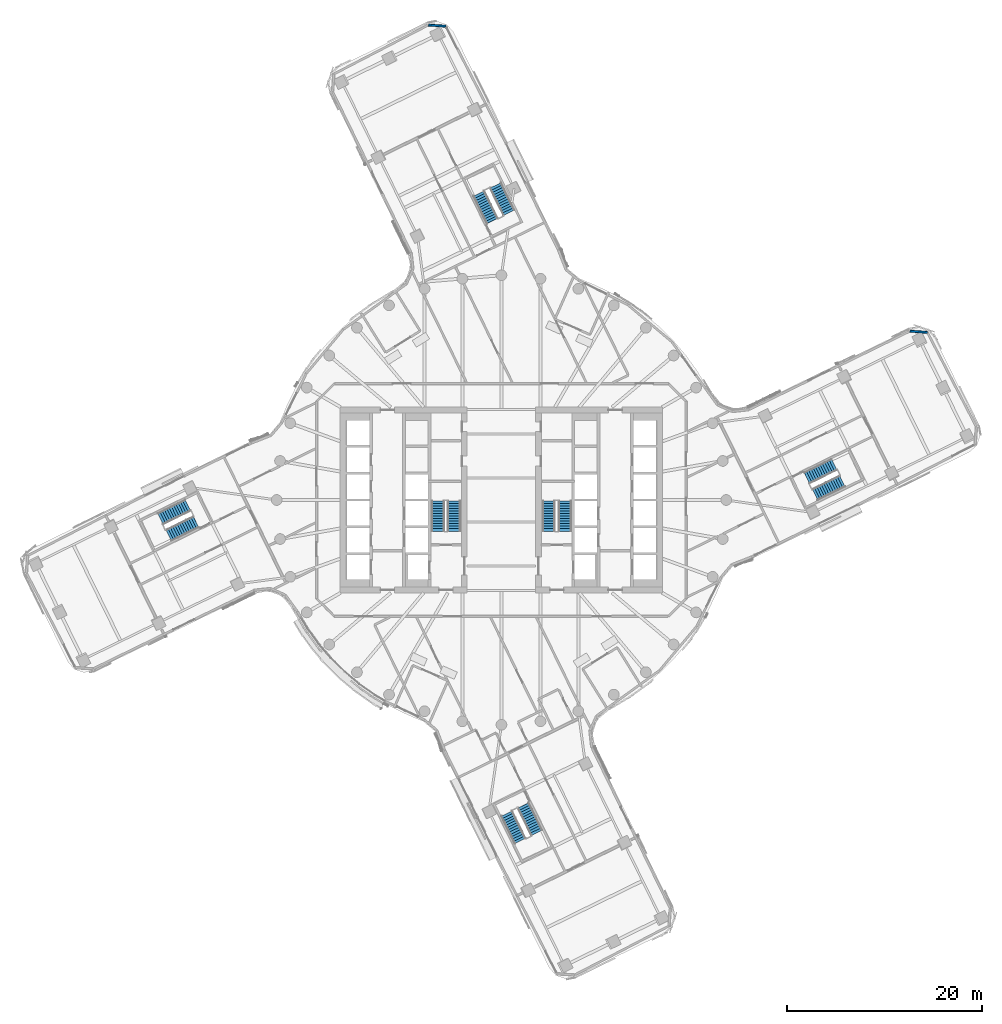
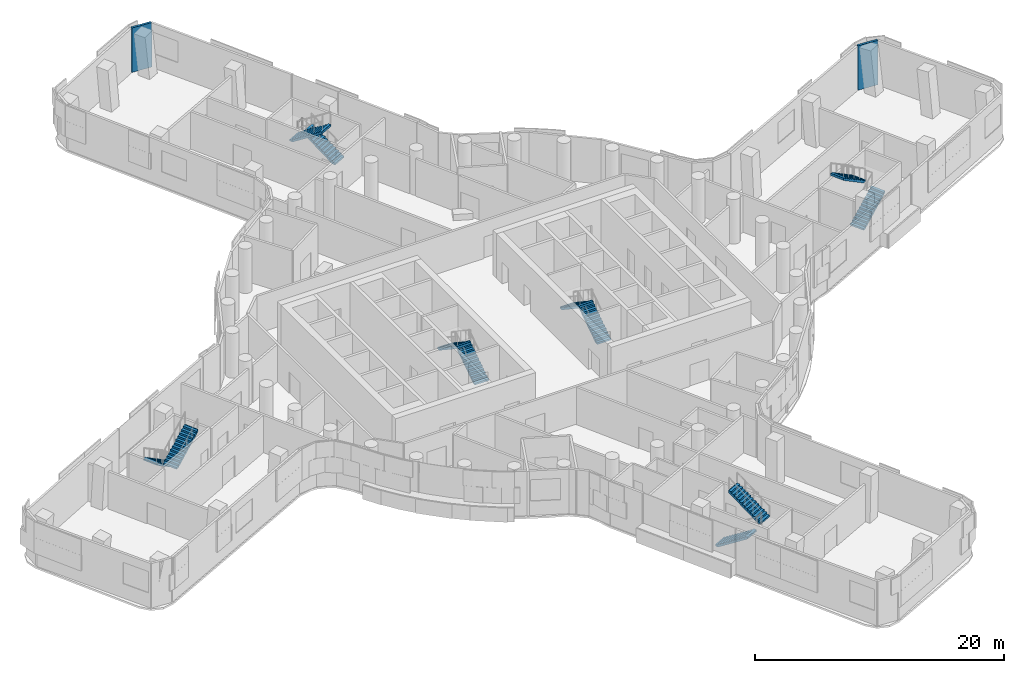
# One storey, part 16 of 23: 12 stair flights, 2 walls, 6 elements without a shape of their own.
"""IFC4 building model written with IfcOpenShell, lengths in metres."""

from ifc_helpers import new_model, si_unit, direction, frame, frame_2d, origin, place, context, subcontext, project, spatial, polyline, rectangle, outline, extrude, material, layer, layer_set, type_object, element, aggregate, save


model = new_model("IFC4")

# Units and contexts
model_context = context("Model", 3, precision=1e-05, world=origin(), true_north=direction((0.0, 1.0)))
body_context = subcontext(model_context, "Body", "Model", "MODEL_VIEW")
ifc_project = project(units=[si_unit("LENGTHUNIT", "METRE"), si_unit("AREAUNIT", "SQUARE_METRE"), si_unit("VOLUMEUNIT", "CUBIC_METRE"), si_unit("PLANEANGLEUNIT", "RADIAN"), si_unit("MASSUNIT", "GRAM", prefix="KILO")], contexts=[model_context])

# Site, building, storey
site_placement = place(None, origin())
site = spatial("IfcSite", under=ifc_project, at=site_placement, CompositionType="ELEMENT")
building_placement = place(site_placement, origin())
building = spatial("IfcBuilding", under=site, at=building_placement, Name="Tamarind Cross Interchange Tower", CompositionType="ELEMENT")
storey_placement = place(building_placement, frame((0.0, 0.0, 128.5)))
storey = spatial("IfcBuildingStorey", under=building, at=storey_placement, Name="L31", CompositionType="ELEMENT", Elevation=128.5)

# Walls
ifc_material_1 = material(Name="Precast concrete C40", Category="concrete")
ifc_layer = layer(ifc_material_1, 0.199951171875)
ifc_layer_set = layer_set([ifc_layer], Name="Precast concrete C40")
wall_type = type_object("IfcWallType", Name="Refuge level external wall", PredefinedType="SOLIDWALL", material=ifc_layer_set)
for number, where, z_axis, x_axis, name in (
    (1, (43.586669921875, 17.15185546875, 0.0), (0.0, 0.0, 1.0), (-0.997590572595, 0.069376144823, 0.0), "RFW-L31-08-01"),
    (2, (-5.68505859375, 48.478271484375, 0.0), (0.0, 0.0, 1.0), (-0.997581074317, 0.069512589978, 0.0), "RFW-L31-11-11"),
):
    element("IfcWall", number, at=place(storey_placement, frame(where, z_axis=z_axis, x_axis=x_axis)), inside=storey, type_object=wall_type, Name=name, PredefinedType="SOLIDWALL", context=body_context, shape_type="SweptSolid", body=[
        extrude(rectangle(XDim=1.78076171875, YDim=0.199951171875, at=frame_2d((0.890380859375, 0.0))), origin(), (0.0, 0.0, 1.0), 4.360107421875),
    ])

# Stair, stair flights
ifc_material_2 = material(Name="Exit stair")
stair_type = type_object("IfcStairType", Name="Exit stair", PredefinedType="HALF_TURN_STAIR", material=ifc_material_2)
stair_1_placement = place(storey_placement, origin())
stair_1 = element("IfcStair", 3, at=stair_1_placement, inside=storey, type_object=stair_type, Name="L31 exit stair ST1", PredefinedType="HALF_TURN_STAIR")
ifc_material_3 = material(Name="Exit stair flight")
stair_flight_type = type_object("IfcStairFlightType", Name="Exit stair flight", PredefinedType="STRAIGHT", material=ifc_material_3)
stair_flight_1_placement = place(storey_placement, frame((-4.85009765625, -3.199951171875, 0.0), z_axis=(0.0, 0.0, 1.0), x_axis=(0.0, 1.0, 0.0)))
stair_flight_1 = element("IfcStairFlight", 4, at=stair_flight_1_placement, type_object=stair_flight_type, Name="ST1 flight 1", NumberOfRisers=13, NumberOfTreads=12, PredefinedType="STRAIGHT", RiserHeight=0.173076923, TreadLength=0.26, context=body_context, shape_type="SweptSolid", body=[
    extrude(outline(polyline([(0.0, 0.0), (0.0, 0.173095703125), (0.260009765625, 0.173095703125), (0.260009765625, 0.34619140625), (0.52001953125, 0.34619140625), (0.52001953125, 0.519287109375), (0.780029296875, 0.519287109375), (0.780029296875, 0.6923828125), (1.0400390625, 0.6923828125), (1.0400390625, 0.865478515625), (1.300048828125, 0.865478515625), (1.300048828125, 1.03857421875), (1.56005859375, 1.03857421875), (1.56005859375, 1.21142578125), (1.820068359375, 1.21142578125), (1.820068359375, 1.384521484375), (2.080078125, 1.384521484375), (2.080078125, 1.5576171875), (2.340087890625, 1.5576171875), (2.340087890625, 1.730712890625), (2.60009765625, 1.730712890625), (2.60009765625, 1.90380859375), (2.860107421875, 1.90380859375), (2.860107421875, 2.076904296875), (3.1201171875, 2.076904296875), (3.1201171875, 2.25), (3.1201171875, 1.896728515625), (0.2705078125, 0.0), (0.0, 0.0)])), frame((0.0, 0.64990234375, 0.0), z_axis=(0.0, -1.0, 0.0), x_axis=(1.0, 0.0, 0.0)), (0.0, 0.0, 1.0), 1.300048828125),
])
stair_flight_2_placement = place(storey_placement, frame((-6.5, -0.080078125, 2.25), z_axis=(0.0, 0.0, 1.0), x_axis=(0.0, -1.0, 0.0)))
stair_flight_2 = element("IfcStairFlight", 5, at=stair_flight_2_placement, type_object=stair_flight_type, Name="ST1 flight 2", NumberOfRisers=13, NumberOfTreads=12, PredefinedType="STRAIGHT", RiserHeight=0.173076923, TreadLength=0.26, context=body_context, shape_type="SweptSolid", body=[
    extrude(outline(polyline([(0.0, 0.0), (0.0, 0.173095703125), (0.260009765625, 0.173095703125), (0.260009765625, 0.34619140625), (0.52001953125, 0.34619140625), (0.52001953125, 0.519287109375), (0.780029296875, 0.519287109375), (0.780029296875, 0.6923828125), (1.0400390625, 0.6923828125), (1.0400390625, 0.865478515625), (1.300048828125, 0.865478515625), (1.300048828125, 1.03857421875), (1.56005859375, 1.03857421875), (1.56005859375, 1.21142578125), (1.820068359375, 1.21142578125), (1.820068359375, 1.384521484375), (2.080078125, 1.384521484375), (2.080078125, 1.5576171875), (2.340087890625, 1.5576171875), (2.340087890625, 1.730712890625), (2.60009765625, 1.730712890625), (2.60009765625, 1.90380859375), (2.860107421875, 1.90380859375), (2.860107421875, 2.076904296875), (3.1201171875, 2.076904296875), (3.1201171875, 2.1298828125), (3.132080078125, 2.1298828125), (3.132080078125, 1.90478515625), (0.2705078125, 0.0), (0.0, 0.0)])), frame((0.0, 0.64990234375, 0.0), z_axis=(0.0, -1.0, 0.0), x_axis=(1.0, 0.0, 0.0)), (0.0, 0.0, 1.0), 1.300048828125),
])
aggregate(stair_1, [stair_flight_1, stair_flight_2])

stair_2_placement = place(storey_placement, origin())
stair_2 = element("IfcStair", 6, at=stair_2_placement, inside=storey, type_object=stair_type, Name="L31 exit stair ST2", PredefinedType="HALF_TURN_STAIR")
stair_flight_3_placement = place(storey_placement, frame((6.5, -3.199951171875, 0.0), z_axis=(0.0, 0.0, 1.0), x_axis=(0.0, 1.0, 0.0)))
stair_flight_3 = element("IfcStairFlight", 7, at=stair_flight_3_placement, type_object=stair_flight_type, Name="ST2 flight 1", NumberOfRisers=13, NumberOfTreads=12, PredefinedType="STRAIGHT", RiserHeight=0.173076923, TreadLength=0.26, context=body_context, shape_type="SweptSolid", body=[
    extrude(outline(polyline([(0.0, 0.0), (0.0, 0.173095703125), (0.260009765625, 0.173095703125), (0.260009765625, 0.34619140625), (0.52001953125, 0.34619140625), (0.52001953125, 0.519287109375), (0.780029296875, 0.519287109375), (0.780029296875, 0.6923828125), (1.0400390625, 0.6923828125), (1.0400390625, 0.865478515625), (1.300048828125, 0.865478515625), (1.300048828125, 1.03857421875), (1.56005859375, 1.03857421875), (1.56005859375, 1.21142578125), (1.820068359375, 1.21142578125), (1.820068359375, 1.384521484375), (2.080078125, 1.384521484375), (2.080078125, 1.5576171875), (2.340087890625, 1.5576171875), (2.340087890625, 1.730712890625), (2.60009765625, 1.730712890625), (2.60009765625, 1.90380859375), (2.860107421875, 1.90380859375), (2.860107421875, 2.076904296875), (3.1201171875, 2.076904296875), (3.1201171875, 2.25), (3.1201171875, 1.896728515625), (0.2705078125, 0.0), (0.0, 0.0)])), frame((0.0, 0.64990234375, 0.0), z_axis=(0.0, -1.0, 0.0), x_axis=(1.0, 0.0, 0.0)), (0.0, 0.0, 1.0), 1.300048828125),
])
stair_flight_4_placement = place(storey_placement, frame((4.85009765625, -0.080078125, 2.25), z_axis=(0.0, 0.0, 1.0), x_axis=(0.0, -1.0, 0.0)))
stair_flight_4 = element("IfcStairFlight", 8, at=stair_flight_4_placement, type_object=stair_flight_type, Name="ST2 flight 2", NumberOfRisers=13, NumberOfTreads=12, PredefinedType="STRAIGHT", RiserHeight=0.173076923, TreadLength=0.26, context=body_context, shape_type="SweptSolid", body=[
    extrude(outline(polyline([(0.0, 0.0), (0.0, 0.173095703125), (0.260009765625, 0.173095703125), (0.260009765625, 0.34619140625), (0.52001953125, 0.34619140625), (0.52001953125, 0.519287109375), (0.780029296875, 0.519287109375), (0.780029296875, 0.6923828125), (1.0400390625, 0.6923828125), (1.0400390625, 0.865478515625), (1.300048828125, 0.865478515625), (1.300048828125, 1.03857421875), (1.56005859375, 1.03857421875), (1.56005859375, 1.21142578125), (1.820068359375, 1.21142578125), (1.820068359375, 1.384521484375), (2.080078125, 1.384521484375), (2.080078125, 1.5576171875), (2.340087890625, 1.5576171875), (2.340087890625, 1.730712890625), (2.60009765625, 1.730712890625), (2.60009765625, 1.90380859375), (2.860107421875, 1.90380859375), (2.860107421875, 2.076904296875), (3.1201171875, 2.076904296875), (3.1201171875, 2.1298828125), (3.132080078125, 2.1298828125), (3.132080078125, 1.90478515625), (0.2705078125, 0.0), (0.0, 0.0)])), frame((0.0, 0.64990234375, 0.0), z_axis=(0.0, -1.0, 0.0), x_axis=(1.0, 0.0, 0.0)), (0.0, 0.0, 1.0), 1.300048828125),
])
aggregate(stair_2, [stair_flight_3, stair_flight_4])

stair_3_placement = place(storey_placement, origin())
stair_3 = element("IfcStair", 9, at=stair_3_placement, inside=storey, type_object=stair_type, Name="L31 exit stair ST3", PredefinedType="HALF_TURN_STAIR")
stair_flight_5_placement = place(storey_placement, frame((32.089111328125, 0.5478515625, 0.0), z_axis=(0.0, 0.0, 1.0), x_axis=(0.897873953312, 0.440252613806, 0.0)))
stair_flight_5 = element("IfcStairFlight", 10, at=stair_flight_5_placement, type_object=stair_flight_type, Name="ST3 flight 1", NumberOfRisers=13, NumberOfTreads=12, PredefinedType="STRAIGHT", RiserHeight=0.173076923, TreadLength=0.26, context=body_context, shape_type="SweptSolid", body=[
    extrude(outline(polyline([(0.0, 0.0), (0.0, 0.173095703125), (0.260009765625, 0.173095703125), (0.260009765625, 0.34619140625), (0.52001953125, 0.34619140625), (0.52001953125, 0.519287109375), (0.780029296875, 0.519287109375), (0.780029296875, 0.6923828125), (1.0400390625, 0.6923828125), (1.0400390625, 0.865478515625), (1.300048828125, 0.865478515625), (1.300048828125, 1.03857421875), (1.56005859375, 1.03857421875), (1.56005859375, 1.21142578125), (1.820068359375, 1.21142578125), (1.820068359375, 1.384521484375), (2.080078125, 1.384521484375), (2.080078125, 1.5576171875), (2.340087890625, 1.5576171875), (2.340087890625, 1.730712890625), (2.60009765625, 1.730712890625), (2.60009765625, 1.90380859375), (2.860107421875, 1.90380859375), (2.860107421875, 2.076904296875), (3.1201171875, 2.076904296875), (3.1201171875, 2.25), (3.1201171875, 1.896728515625), (0.2705078125, 0.0), (0.0, 0.0)])), frame((0.0, 0.64990234375, 0.0), z_axis=(0.0, -1.0, 0.0), x_axis=(1.0, 0.0, 0.0)), (0.0, 0.0, 1.0), 1.300048828125),
])
stair_flight_6_placement = place(storey_placement, frame((34.05419921875, 3.627197265625, 2.25), z_axis=(0.0, 0.0, 1.0), x_axis=(-0.897873953312, -0.440252613806, 0.0)))
stair_flight_6 = element("IfcStairFlight", 11, at=stair_flight_6_placement, type_object=stair_flight_type, Name="ST3 flight 2", NumberOfRisers=13, NumberOfTreads=12, PredefinedType="STRAIGHT", RiserHeight=0.173076923, TreadLength=0.26, context=body_context, shape_type="SweptSolid", body=[
    extrude(outline(polyline([(0.0, 0.0), (0.0, 0.173095703125), (0.260009765625, 0.173095703125), (0.260009765625, 0.34619140625), (0.52001953125, 0.34619140625), (0.52001953125, 0.519287109375), (0.780029296875, 0.519287109375), (0.780029296875, 0.6923828125), (1.0400390625, 0.6923828125), (1.0400390625, 0.865478515625), (1.300048828125, 0.865478515625), (1.300048828125, 1.03857421875), (1.56005859375, 1.03857421875), (1.56005859375, 1.21142578125), (1.820068359375, 1.21142578125), (1.820068359375, 1.384521484375), (2.080078125, 1.384521484375), (2.080078125, 1.5576171875), (2.340087890625, 1.5576171875), (2.340087890625, 1.730712890625), (2.60009765625, 1.730712890625), (2.60009765625, 1.90380859375), (2.860107421875, 1.90380859375), (2.860107421875, 2.076904296875), (3.1201171875, 2.076904296875), (3.1201171875, 2.1298828125), (3.132080078125, 2.1298828125), (3.132080078125, 1.90478515625), (0.2705078125, 0.0), (0.0, 0.0)])), frame((0.0, 0.64990234375, 0.0), z_axis=(0.0, -1.0, 0.0), x_axis=(1.0, 0.0, 0.0)), (0.0, 0.0, 1.0), 1.300048828125),
])
aggregate(stair_3, [stair_flight_5, stair_flight_6])

stair_4_placement = place(storey_placement, origin())
stair_4 = element("IfcStair", 12, at=stair_4_placement, inside=storey, type_object=stair_type, Name="L31 exit stair ST4", PredefinedType="HALF_TURN_STAIR")
stair_flight_7_placement = place(storey_placement, frame((0.77294921875, 29.3955078125, 0.0), z_axis=(0.0, 0.0, 1.0), x_axis=(-0.440252613806, 0.897873953312, 0.0)))
stair_flight_7 = element("IfcStairFlight", 13, at=stair_flight_7_placement, type_object=stair_flight_type, Name="ST4 flight 1", NumberOfRisers=13, NumberOfTreads=12, PredefinedType="STRAIGHT", RiserHeight=0.173076923, TreadLength=0.26, context=body_context, shape_type="SweptSolid", body=[
    extrude(outline(polyline([(0.0, 0.0), (0.0, 0.173095703125), (0.260009765625, 0.173095703125), (0.260009765625, 0.34619140625), (0.52001953125, 0.34619140625), (0.52001953125, 0.519287109375), (0.780029296875, 0.519287109375), (0.780029296875, 0.6923828125), (1.0400390625, 0.6923828125), (1.0400390625, 0.865478515625), (1.300048828125, 0.865478515625), (1.300048828125, 1.03857421875), (1.56005859375, 1.03857421875), (1.56005859375, 1.21142578125), (1.820068359375, 1.21142578125), (1.820068359375, 1.384521484375), (2.080078125, 1.384521484375), (2.080078125, 1.5576171875), (2.340087890625, 1.5576171875), (2.340087890625, 1.730712890625), (2.60009765625, 1.730712890625), (2.60009765625, 1.90380859375), (2.860107421875, 1.90380859375), (2.860107421875, 2.076904296875), (3.1201171875, 2.076904296875), (3.1201171875, 2.25), (3.1201171875, 1.896728515625), (0.2705078125, 0.0), (0.0, 0.0)])), frame((0.0, 0.64990234375, 0.0), z_axis=(0.0, -1.0, 0.0), x_axis=(1.0, 0.0, 0.0)), (0.0, 0.0, 1.0), 1.300048828125),
])
stair_flight_8_placement = place(storey_placement, frame((-2.306640625, 31.360595703125, 2.25), z_axis=(0.0, 0.0, 1.0), x_axis=(0.440252613806, -0.897873953312, 0.0)))
stair_flight_8 = element("IfcStairFlight", 14, at=stair_flight_8_placement, type_object=stair_flight_type, Name="ST4 flight 2", NumberOfRisers=13, NumberOfTreads=12, PredefinedType="STRAIGHT", RiserHeight=0.173076923, TreadLength=0.26, context=body_context, shape_type="SweptSolid", body=[
    extrude(outline(polyline([(0.0, 0.0), (0.0, 0.173095703125), (0.260009765625, 0.173095703125), (0.260009765625, 0.34619140625), (0.52001953125, 0.34619140625), (0.52001953125, 0.519287109375), (0.780029296875, 0.519287109375), (0.780029296875, 0.6923828125), (1.0400390625, 0.6923828125), (1.0400390625, 0.865478515625), (1.300048828125, 0.865478515625), (1.300048828125, 1.03857421875), (1.56005859375, 1.03857421875), (1.56005859375, 1.21142578125), (1.820068359375, 1.21142578125), (1.820068359375, 1.384521484375), (2.080078125, 1.384521484375), (2.080078125, 1.5576171875), (2.340087890625, 1.5576171875), (2.340087890625, 1.730712890625), (2.60009765625, 1.730712890625), (2.60009765625, 1.90380859375), (2.860107421875, 1.90380859375), (2.860107421875, 2.076904296875), (3.1201171875, 2.076904296875), (3.1201171875, 2.1298828125), (3.132080078125, 2.1298828125), (3.132080078125, 1.90478515625), (0.2705078125, 0.0), (0.0, 0.0)])), frame((0.0, 0.64990234375, 0.0), z_axis=(0.0, -1.0, 0.0), x_axis=(1.0, 0.0, 0.0)), (0.0, 0.0, 1.0), 1.300048828125),
])
aggregate(stair_4, [stair_flight_7, stair_flight_8])

stair_5_placement = place(storey_placement, origin())
stair_5 = element("IfcStair", 15, at=stair_5_placement, inside=storey, type_object=stair_type, Name="L31 exit stair ST5", PredefinedType="HALF_TURN_STAIR")
stair_flight_9_placement = place(storey_placement, frame((-32.089111328125, -0.5478515625, 0.0), z_axis=(0.0, 0.0, 1.0), x_axis=(-0.897873953312, -0.440252613806, 0.0)))
stair_flight_9 = element("IfcStairFlight", 16, at=stair_flight_9_placement, type_object=stair_flight_type, Name="ST5 flight 1", NumberOfRisers=13, NumberOfTreads=12, PredefinedType="STRAIGHT", RiserHeight=0.173076923, TreadLength=0.26, context=body_context, shape_type="SweptSolid", body=[
    extrude(outline(polyline([(0.0, 0.0), (0.0, 0.173095703125), (0.260009765625, 0.173095703125), (0.260009765625, 0.34619140625), (0.52001953125, 0.34619140625), (0.52001953125, 0.519287109375), (0.780029296875, 0.519287109375), (0.780029296875, 0.6923828125), (1.0400390625, 0.6923828125), (1.0400390625, 0.865478515625), (1.300048828125, 0.865478515625), (1.300048828125, 1.03857421875), (1.56005859375, 1.03857421875), (1.56005859375, 1.21142578125), (1.820068359375, 1.21142578125), (1.820068359375, 1.384521484375), (2.080078125, 1.384521484375), (2.080078125, 1.5576171875), (2.340087890625, 1.5576171875), (2.340087890625, 1.730712890625), (2.60009765625, 1.730712890625), (2.60009765625, 1.90380859375), (2.860107421875, 1.90380859375), (2.860107421875, 2.076904296875), (3.1201171875, 2.076904296875), (3.1201171875, 2.25), (3.1201171875, 1.896728515625), (0.2705078125, 0.0), (0.0, 0.0)])), frame((0.0, 0.64990234375, 0.0), z_axis=(0.0, -1.0, 0.0), x_axis=(1.0, 0.0, 0.0)), (0.0, 0.0, 1.0), 1.300048828125),
])
stair_flight_10_placement = place(storey_placement, frame((-34.05419921875, -3.627197265625, 2.25), z_axis=(0.0, 0.0, 1.0), x_axis=(0.897873953312, 0.440252613806, 0.0)))
stair_flight_10 = element("IfcStairFlight", 17, at=stair_flight_10_placement, type_object=stair_flight_type, Name="ST5 flight 2", NumberOfRisers=13, NumberOfTreads=12, PredefinedType="STRAIGHT", RiserHeight=0.173076923, TreadLength=0.26, context=body_context, shape_type="SweptSolid", body=[
    extrude(outline(polyline([(0.0, 0.0), (0.0, 0.173095703125), (0.260009765625, 0.173095703125), (0.260009765625, 0.34619140625), (0.52001953125, 0.34619140625), (0.52001953125, 0.519287109375), (0.780029296875, 0.519287109375), (0.780029296875, 0.6923828125), (1.0400390625, 0.6923828125), (1.0400390625, 0.865478515625), (1.300048828125, 0.865478515625), (1.300048828125, 1.03857421875), (1.56005859375, 1.03857421875), (1.56005859375, 1.21142578125), (1.820068359375, 1.21142578125), (1.820068359375, 1.384521484375), (2.080078125, 1.384521484375), (2.080078125, 1.5576171875), (2.340087890625, 1.5576171875), (2.340087890625, 1.730712890625), (2.60009765625, 1.730712890625), (2.60009765625, 1.90380859375), (2.860107421875, 1.90380859375), (2.860107421875, 2.076904296875), (3.1201171875, 2.076904296875), (3.1201171875, 2.1298828125), (3.132080078125, 2.1298828125), (3.132080078125, 1.90478515625), (0.2705078125, 0.0), (0.0, 0.0)])), frame((0.0, 0.64990234375, 0.0), z_axis=(0.0, -1.0, 0.0), x_axis=(1.0, 0.0, 0.0)), (0.0, 0.0, 1.0), 1.300048828125),
])
aggregate(stair_5, [stair_flight_9, stair_flight_10])

stair_6_placement = place(storey_placement, origin())
stair_6 = element("IfcStair", 18, at=stair_6_placement, inside=storey, type_object=stair_type, Name="L31 exit stair ST6", PredefinedType="HALF_TURN_STAIR")
stair_flight_11_placement = place(storey_placement, frame((0.5478515625, -32.089111328125, 0.0), z_axis=(0.0, 0.0, 1.0), x_axis=(0.440252613806, -0.897873953312, 0.0)))
stair_flight_11 = element("IfcStairFlight", 19, at=stair_flight_11_placement, type_object=stair_flight_type, Name="ST6 flight 1", NumberOfRisers=13, NumberOfTreads=12, PredefinedType="STRAIGHT", RiserHeight=0.173076923, TreadLength=0.26, context=body_context, shape_type="SweptSolid", body=[
    extrude(outline(polyline([(0.0, 0.0), (0.0, 0.173095703125), (0.260009765625, 0.173095703125), (0.260009765625, 0.34619140625), (0.52001953125, 0.34619140625), (0.52001953125, 0.519287109375), (0.780029296875, 0.519287109375), (0.780029296875, 0.6923828125), (1.0400390625, 0.6923828125), (1.0400390625, 0.865478515625), (1.300048828125, 0.865478515625), (1.300048828125, 1.03857421875), (1.56005859375, 1.03857421875), (1.56005859375, 1.21142578125), (1.820068359375, 1.21142578125), (1.820068359375, 1.384521484375), (2.080078125, 1.384521484375), (2.080078125, 1.5576171875), (2.340087890625, 1.5576171875), (2.340087890625, 1.730712890625), (2.60009765625, 1.730712890625), (2.60009765625, 1.90380859375), (2.860107421875, 1.90380859375), (2.860107421875, 2.076904296875), (3.1201171875, 2.076904296875), (3.1201171875, 2.25), (3.1201171875, 1.896728515625), (0.2705078125, 0.0), (0.0, 0.0)])), frame((0.0, 0.64990234375, 0.0), z_axis=(0.0, -1.0, 0.0), x_axis=(1.0, 0.0, 0.0)), (0.0, 0.0, 1.0), 1.300048828125),
])
stair_flight_12_placement = place(storey_placement, frame((3.627197265625, -34.05419921875, 2.25), z_axis=(0.0, 0.0, 1.0), x_axis=(-0.440252613806, 0.897873953312, 0.0)))
stair_flight_12 = element("IfcStairFlight", 20, at=stair_flight_12_placement, type_object=stair_flight_type, Name="ST6 flight 2", NumberOfRisers=13, NumberOfTreads=12, PredefinedType="STRAIGHT", RiserHeight=0.173076923, TreadLength=0.26, context=body_context, shape_type="SweptSolid", body=[
    extrude(outline(polyline([(0.0, 0.0), (0.0, 0.173095703125), (0.260009765625, 0.173095703125), (0.260009765625, 0.34619140625), (0.52001953125, 0.34619140625), (0.52001953125, 0.519287109375), (0.780029296875, 0.519287109375), (0.780029296875, 0.6923828125), (1.0400390625, 0.6923828125), (1.0400390625, 0.865478515625), (1.300048828125, 0.865478515625), (1.300048828125, 1.03857421875), (1.56005859375, 1.03857421875), (1.56005859375, 1.21142578125), (1.820068359375, 1.21142578125), (1.820068359375, 1.384521484375), (2.080078125, 1.384521484375), (2.080078125, 1.5576171875), (2.340087890625, 1.5576171875), (2.340087890625, 1.730712890625), (2.60009765625, 1.730712890625), (2.60009765625, 1.90380859375), (2.860107421875, 1.90380859375), (2.860107421875, 2.076904296875), (3.1201171875, 2.076904296875), (3.1201171875, 2.1298828125), (3.132080078125, 2.1298828125), (3.132080078125, 1.90478515625), (0.2705078125, 0.0), (0.0, 0.0)])), frame((0.0, 0.64990234375, 0.0), z_axis=(0.0, -1.0, 0.0), x_axis=(1.0, 0.0, 0.0)), (0.0, 0.0, 1.0), 1.300048828125),
])
aggregate(stair_6, [stair_flight_11, stair_flight_12])

save(model, "model.ifc")
